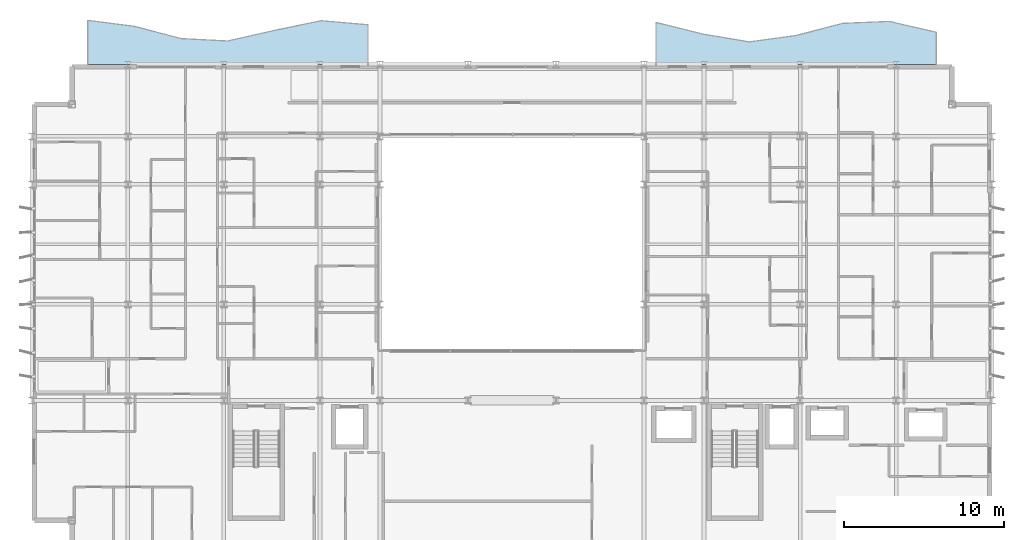
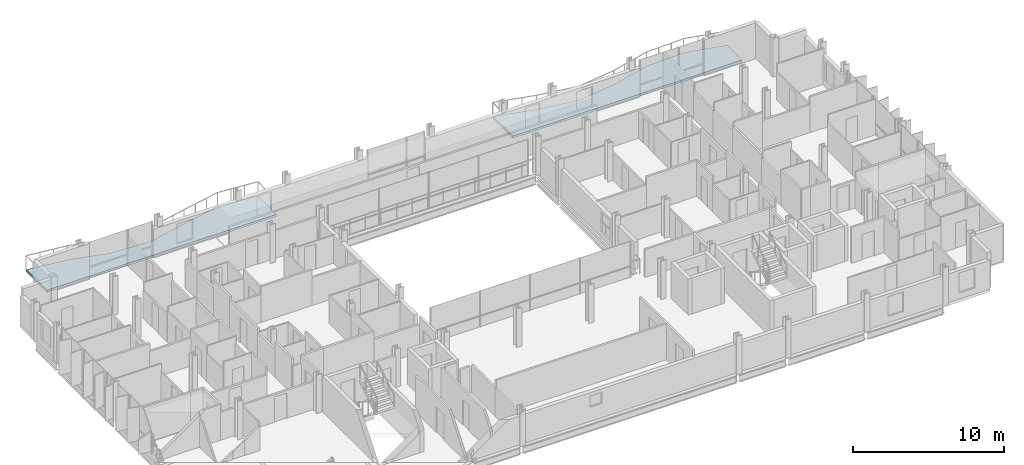
# One storey, part 25 of 38: 2 slabs.
"""IFC4 building model written with IfcOpenShell, lengths in metres."""

from ifc_helpers import new_model, si_unit, direction, frame, origin, place, context, subcontext, project, spatial, polyline, outline, extrude, material, layer, layer_set, type_object, element, save


model = new_model("IFC4")

# Units and contexts
model_context = context("Model", 3, precision=1e-05, world=origin(), true_north=direction((0.0, 1.0)))
body_context = subcontext(model_context, "Body", "Model", "MODEL_VIEW")
ifc_project = project(units=[si_unit("LENGTHUNIT", "METRE"), si_unit("AREAUNIT", "SQUARE_METRE"), si_unit("VOLUMEUNIT", "CUBIC_METRE"), si_unit("PLANEANGLEUNIT", "RADIAN"), si_unit("MASSUNIT", "GRAM", prefix="KILO")], contexts=[model_context])

# Site, building, storey
site_placement = place(None, origin())
site = spatial("IfcSite", under=ifc_project, at=site_placement, CompositionType="ELEMENT")
building_placement = place(site_placement, origin())
building = spatial("IfcBuilding", under=site, at=building_placement, Name="Brevholm Reach", CompositionType="ELEMENT")
storey_placement = place(building_placement, frame((0.0, 0.0, 128.300048828125)))
storey = spatial("IfcBuildingStorey", under=building, at=storey_placement, Name="L38", CompositionType="ELEMENT", Elevation=128.300048828125)

# Slabs
ifc_material = material(Name="Precast Concrete C40/50", Category="concrete")
ifc_layer = layer(ifc_material, 0.179931640625)
ifc_layer_set = layer_set([ifc_layer], Name="Precast Concrete C40/50")
slab_type = type_object("IfcSlabType", Name="SLB-BAL-180", PredefinedType="FLOOR", material=ifc_layer_set)
slab_1_placement = place(storey_placement, frame((0.0, 0.0, -0.179931640625)))
element("IfcSlab", 1, at=slab_1_placement, inside=storey, type_object=slab_type, Name="L38 Rippling External Balcony NE", PredefinedType="FLOOR", context=body_context, shape_type="SweptSolid", body=[
    extrude(outline(polyline([(39.0, 31.0), (56.5, 31.0), (56.5, 33.00439453125), (53.583251953125, 33.681640625), (50.666748046875, 33.560546875), (47.75, 32.800537109375), (44.833251953125, 32.401611328125), (41.916748046875, 32.888916015625), (39.0, 33.62109375), (39.0, 31.0)])), origin(), (0.0, 0.0, 1.0), 0.179931640625),
])
slab_2_placement = place(storey_placement, frame((0.0, 0.0, -0.179931640625)))
element("IfcSlab", 2, at=slab_2_placement, inside=storey, type_object=slab_type, Name="L38 Rippling External Balcony NW", PredefinedType="FLOOR", context=body_context, shape_type="SweptSolid", body=[
    extrude(outline(polyline([(3.5, 31.0), (21.0, 31.0), (21.0, 33.4716796875), (18.083251953125, 33.723876953125), (15.166748046875, 33.1220703125), (12.25, 32.45849609375), (9.333251953125, 32.606201171875), (6.416748046875, 33.370849609375), (3.5, 33.746337890625), (3.5, 31.0)])), origin(), (0.0, 0.0, 1.0), 0.179931640625),
])

save(model, "model.ifc")
